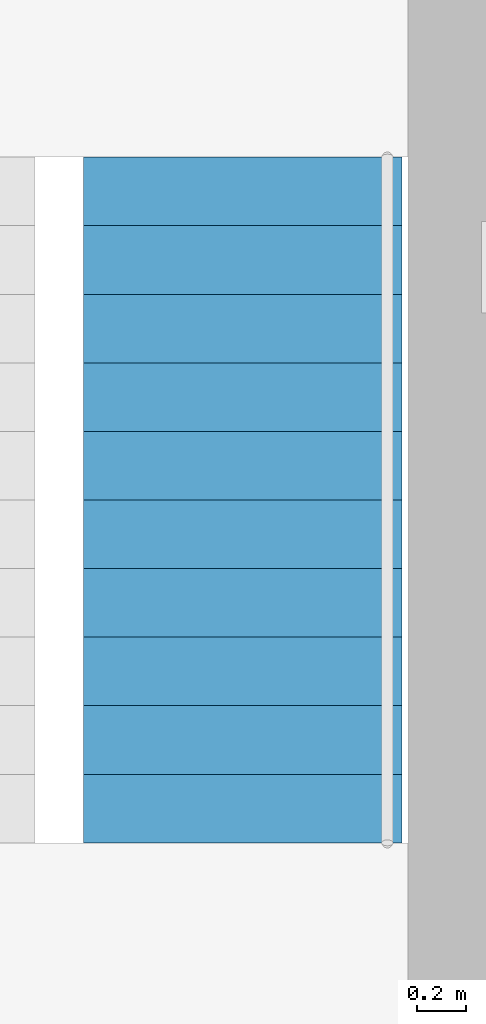
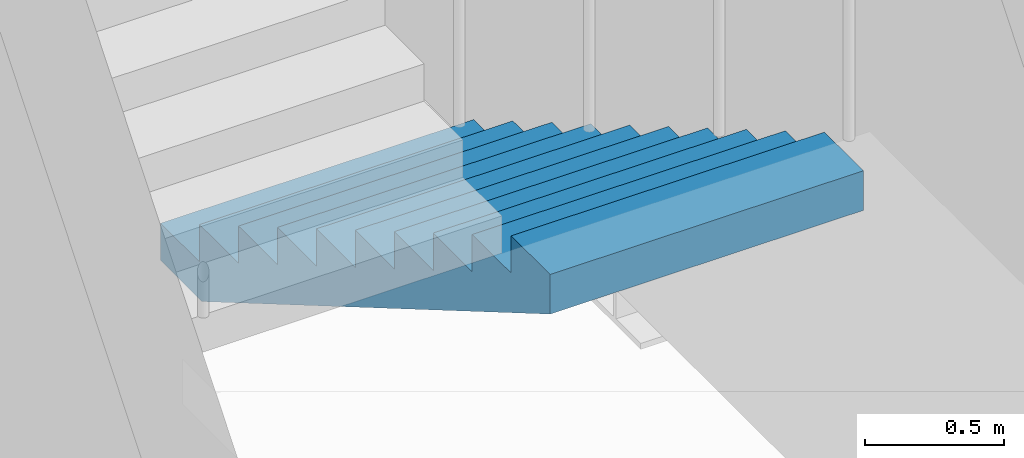
# One storey, part 9 of 12: 1 stair flight, 1 element without a shape of its own.
"""IFC4 building model written with IfcOpenShell, lengths in metres."""

from ifc_helpers import new_model, si_unit, direction, frame, origin, place, context, subcontext, project, spatial, polyline, outline, extrude, material, type_object, element, aggregate, save


model = new_model("IFC4")

# Units and contexts
model_context = context("Model", 3, precision=1e-05, world=origin(), true_north=direction((0.0, 1.0)))
body_context = subcontext(model_context, "Body", "Model", "MODEL_VIEW")
ifc_project = project(units=[si_unit("LENGTHUNIT", "METRE"), si_unit("AREAUNIT", "SQUARE_METRE"), si_unit("VOLUMEUNIT", "CUBIC_METRE"), si_unit("PLANEANGLEUNIT", "RADIAN"), si_unit("MASSUNIT", "GRAM", prefix="KILO")], contexts=[model_context])

# Site, building, storey
site_placement = place(None, origin())
site = spatial("IfcSite", under=ifc_project, at=site_placement, CompositionType="ELEMENT")
building_placement = place(site_placement, origin())
building = spatial("IfcBuilding", under=site, at=building_placement, Name="Loomwork Tower", CompositionType="ELEMENT")
storey_placement = place(building_placement, frame((0.0, 0.0, 259.0)))
storey = spatial("IfcBuildingStorey", under=building, at=storey_placement, Name="L71", CompositionType="ELEMENT", Elevation=259.0)

# Stair, stair flight
ifc_material_1 = material(Name="Concrete 5000 psi (34 MPa) precast stair", Category="concrete")
stair_type = type_object("IfcStairType", Name="Stair ST-B 22 risers 2850 wide", PredefinedType="HALF_TURN_STAIR", material=ifc_material_1)
stair_placement = place(storey_placement, origin())
stair = element("IfcStair", 1, at=stair_placement, inside=storey, type_object=stair_type, Name="Stair B L71", PredefinedType="HALF_TURN_STAIR")
ifc_material_2 = material(Name="Concrete 5000 psi (34 MPa) precast stair", Category="concrete")
stair_flight_type = type_object("IfcStairFlightType", Name="Stair flight ST-B 11 risers 1300 wide", PredefinedType="STRAIGHT", material=ifc_material_2)
stair_flight_placement = place(storey_placement, frame((32.925048828125, 18.449951171875, 0.0), z_axis=(0.0, 0.0, 1.0), x_axis=(0.0, -1.0, 0.0)))
stair_flight = element("IfcStairFlight", 2, at=stair_flight_placement, type_object=stair_flight_type, Name="ST-B flight 1", NumberOfRisers=11, NumberOfTreads=10, PredefinedType="STRAIGHT", RiserHeight=0.163636364, TreadLength=0.28, context=body_context, shape_type="SweptSolid", body=[
    extrude(outline(polyline([(0.0, 0.0), (0.0, 0.16357421875), (0.280029296875, 0.16357421875), (0.280029296875, 0.327392578125), (0.56005859375, 0.327392578125), (0.56005859375, 0.490966796875), (0.840087890625, 0.490966796875), (0.840087890625, 0.654541015625), (1.1201171875, 0.654541015625), (1.1201171875, 0.818115234375), (1.39990234375, 0.818115234375), (1.39990234375, 0.98193359375), (1.679931640625, 0.98193359375), (1.679931640625, 1.1455078125), (1.9599609375, 1.1455078125), (1.9599609375, 1.30908203125), (2.239990234375, 1.30908203125), (2.239990234375, 1.47265625), (2.52001953125, 1.47265625), (2.52001953125, 1.636474609375), (2.800048828125, 1.636474609375), (2.800048828125, 1.800048828125), (2.800048828125, 1.462646484375), (0.297119140625, 0.0), (0.0, 0.0)])), frame((0.0, 0.64990234375, 0.0), z_axis=(0.0, -1.0, 0.0), x_axis=(1.0, 0.0, 0.0)), (0.0, 0.0, 1.0), 1.300048828125),
])
aggregate(stair, [stair_flight])

save(model, "model.ifc")
